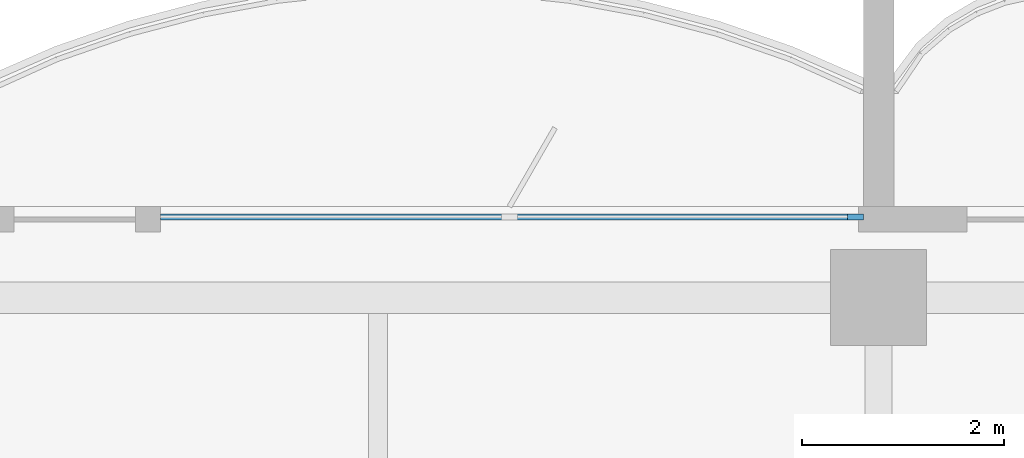
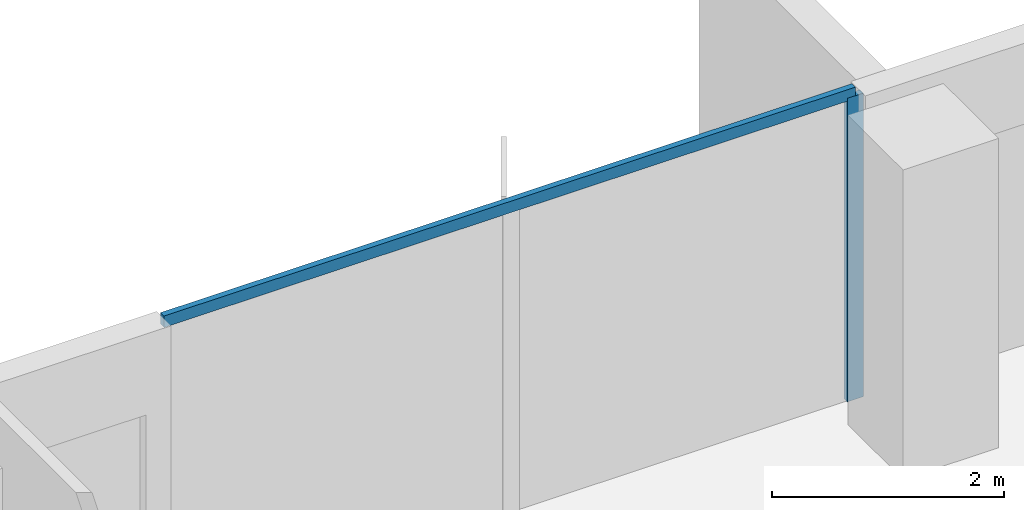
# One storey, part 6 of 17: 2 members, 1 element without a shape of its own.
"""IFC4 building model written with IfcOpenShell, lengths in metres."""

from ifc_helpers import new_model, si_unit, direction, frame, origin, origin_2d, place, context, subcontext, project, spatial, rectangle, extrude, material, material_profile, profile_set, type_object, element, aggregate, save


model = new_model("IFC4")

# Units and contexts
model_context = context("Model", 3, precision=1e-05, world=origin(), true_north=direction((0.0, 1.0)))
body_context = subcontext(model_context, "Body", "Model", "MODEL_VIEW")
ifc_project = project(units=[si_unit("LENGTHUNIT", "METRE"), si_unit("AREAUNIT", "SQUARE_METRE"), si_unit("VOLUMEUNIT", "CUBIC_METRE"), si_unit("PLANEANGLEUNIT", "RADIAN"), si_unit("MASSUNIT", "GRAM", prefix="KILO")], contexts=[model_context])

# Site, building, storey
site_placement = place(None, origin())
site = spatial("IfcSite", under=ifc_project, at=site_placement, CompositionType="ELEMENT")
building_placement = place(site_placement, origin())
building = spatial("IfcBuilding", under=site, at=building_placement, Name="Perihelion Cross Residences", CompositionType="ELEMENT")
storey_placement = place(building_placement, frame((0.0, 0.0, 194.60009765625)))
storey = spatial("IfcBuildingStorey", under=building, at=storey_placement, Name="L48", CompositionType="ELEMENT", Elevation=194.60009765625)

# Curtain wall, members
ifc_material_1 = material(Name="Bronze anodised aluminium, tinted glazing", Category="aluminium")
curtain_wall_type = type_object("IfcCurtainWallType", Name="CW1", PredefinedType="NOTDEFINED", material=ifc_material_1)
curtain_wall_placement = place(storey_placement, origin())
curtain_wall = element("IfcCurtainWall", 1, at=curtain_wall_placement, inside=storey, type_object=curtain_wall_type, Name="Curtain wall CW1 L48 east side north bay 2", PredefinedType="NOTDEFINED")
ifc_material_2 = material(Name="Bronze anodised aluminium", Category="aluminium")
ifc_material_profile_1 = material_profile(ifc_material_2, rectangle(XDim=0.06005859375, YDim=0.159912109375, at=origin_2d()), Name="CW1 mullion")
ifc_profile_set_1 = profile_set([ifc_material_profile_1], Name="Bronze anodised aluminium")
member_type_1 = type_object("IfcMemberType", Name="CW1 mullion", PredefinedType="MULLION", material=ifc_profile_set_1)
member_1_placement = place(storey_placement, frame((17.77001953125, 8.89990234375, 0.0), z_axis=(0.0, 0.0, 1.0), x_axis=(0.0, -1.0, 0.0)))
member_1 = element("IfcMember", 2, at=member_1_placement, type_object=member_type_1, Name="CW1 mullion 1", PredefinedType="MULLION", context=body_context, shape_type="SweptSolid", body=[
    extrude(rectangle(XDim=0.06005859375, YDim=0.159912109375, at=origin_2d()), origin(), (0.0, 0.0, 1.0), 3.18994140625),
])
ifc_material_3 = material(Name="Bronze anodised aluminium", Category="aluminium")
ifc_material_profile_2 = material_profile(ifc_material_3, rectangle(XDim=0.06005859375, YDim=0.1201171875, at=origin_2d()), Name="CW1 transom")
ifc_profile_set_2 = profile_set([ifc_material_profile_2], Name="Bronze anodised aluminium")
member_type_2 = type_object("IfcMemberType", Name="CW1 transom", PredefinedType="USERDEFINED", material=ifc_profile_set_2)
member_2_placement = place(storey_placement, frame((17.77001953125, 8.89990234375, 3.219970703125), z_axis=(-1.0, 0.0, 0.0), x_axis=(0.0, -1.0, 0.0)))
member_2 = element("IfcMember", 3, at=member_2_placement, type_object=member_type_2, Name="CW1 head transom", ObjectType="TRANSOM", PredefinedType="USERDEFINED", context=body_context, shape_type="SweptSolid", body=[
    extrude(rectangle(XDim=0.06005859375, YDim=0.1201171875, at=origin_2d()), origin(), (0.0, 0.0, 1.0), 6.8701171875),
])
aggregate(curtain_wall, [member_1, member_2])

save(model, "model.ifc")
